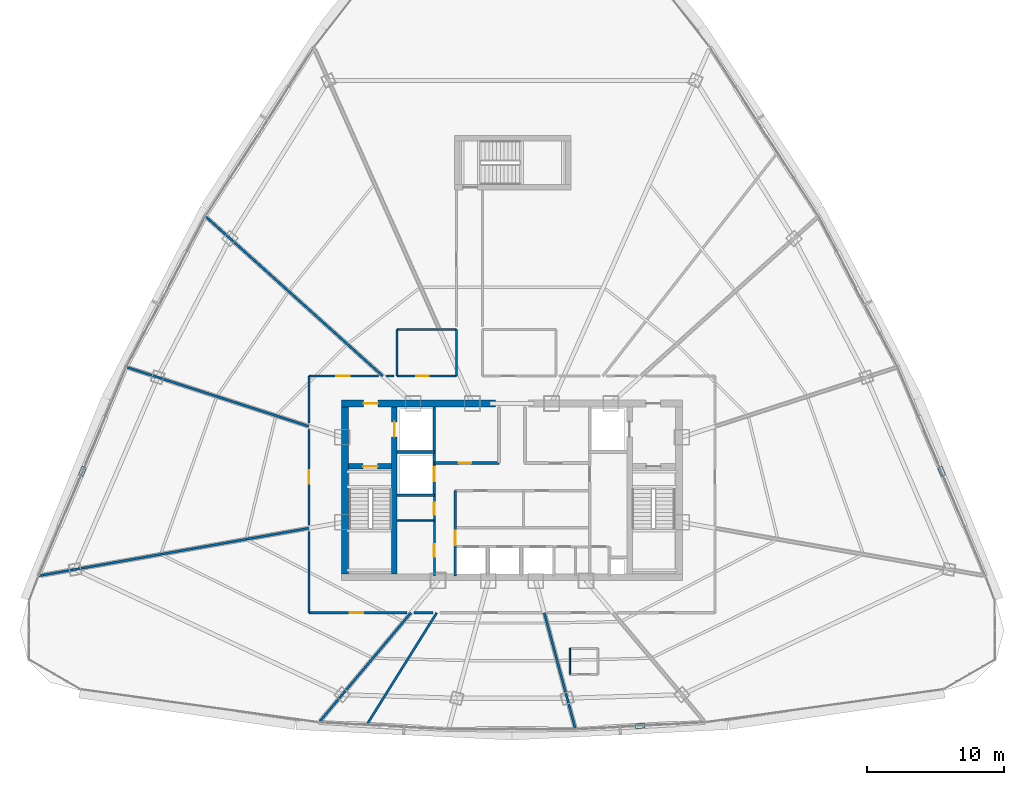
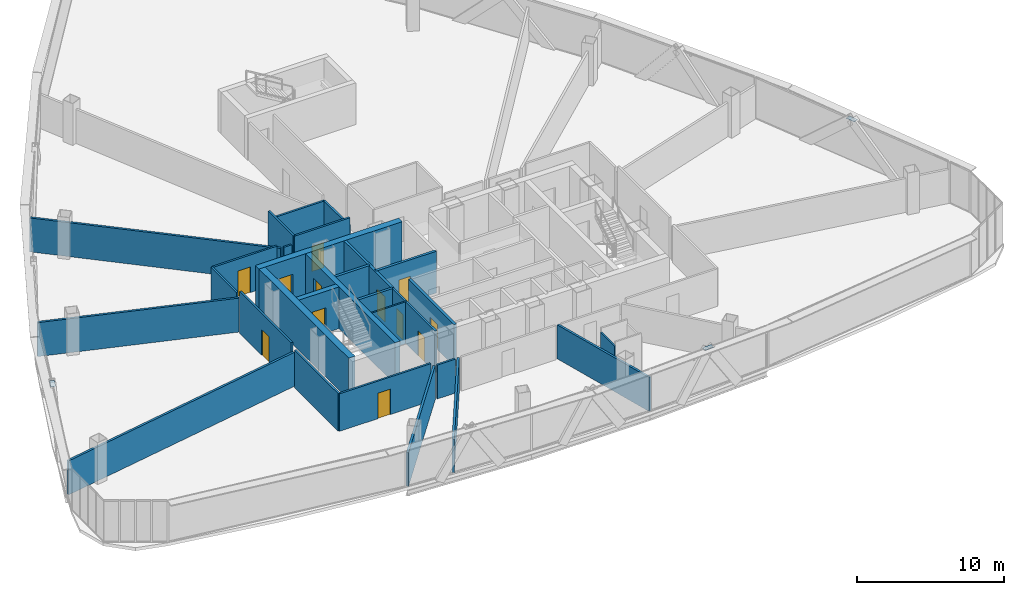
# One storey, part 30 of 36: 29 walls, 12 doors, 3 plates, 12 openings.
"""IFC4 building model written with IfcOpenShell, lengths in metres."""

from ifc_helpers import new_model, si_unit, direction, frame, frame_2d, origin, origin_with_axes, origin_2d, place, context, subcontext, project, spatial, rectangle, extrude, source, transform, mapped, material, layer, layer_set, type_object, element, fill, save


model = new_model("IFC4")

# Units and contexts
model_context = context("Model", 3, precision=1e-05, world=origin(), true_north=direction((0.0, 1.0)))
body_context = subcontext(model_context, "Body", "Model", "MODEL_VIEW")
ifc_project = project(units=[si_unit("LENGTHUNIT", "METRE"), si_unit("AREAUNIT", "SQUARE_METRE"), si_unit("VOLUMEUNIT", "CUBIC_METRE"), si_unit("PLANEANGLEUNIT", "RADIAN"), si_unit("MASSUNIT", "GRAM", prefix="KILO"), si_unit("THERMODYNAMICTEMPERATUREUNIT", "KELVIN"), si_unit("POWERUNIT", "WATT")], contexts=[model_context])

# Site, building, storey
site_placement = place(None, origin())
site = spatial("IfcSite", under=ifc_project, at=site_placement, CompositionType="ELEMENT")
building_placement = place(site_placement, origin())
building = spatial("IfcBuilding", under=site, at=building_placement, Name="Yunzhuo Pagoda Commons", CompositionType="ELEMENT")
storey_placement = place(building_placement, frame((0.0, 0.0, 244.530029296875)))
storey = spatial("IfcBuildingStorey", under=building, at=storey_placement, Name="L61", CompositionType="ELEMENT", Elevation=244.530029296875)

# Plates
ifc_material_1 = material(Name="Structural steel Q355B", Category="steel")
ifc_layer_1 = layer(ifc_material_1, 0.028076171875)
ifc_layer_set_1 = layer_set([ifc_layer_1], Name="Structural steel Q355B")
plate_type = type_object("IfcPlateType", Name="SP-ND1 Lattice Node Cap Plate 800x500x28", PredefinedType="USERDEFINED", material=ifc_layer_set_1)
shared_shape_1 = source(origin(), body_context, "Body", "SweptSolid", [
    extrude(rectangle(XDim=0.699951171875, YDim=0.35009765625, at=origin_2d()), origin(), (0.0, 0.0, 1.0), 0.035888671875),
])
for number, where, z_axis, x_axis, name in (
    (1, (57.376708984375, 16.626953125, 3.43212890625), (0.0, 0.0, 1.0), (0.998513930245, 0.054497074291, 0.0), "L61 setback lattice tie plate F1.3L"),
    (2, (79.39990234375, 35.229736328125, 3.43212890625), (0.0, 0.0, 1.0), (-0.387177679939, 0.922005121546, 0.0), "L61 setback lattice tie plate F2.1L"),
    (3, (16.60009765625, 35.229736328125, 3.43212890625), (0.0, 0.0, 1.0), (-0.387177679939, -0.922005121546, 0.0), "L61 setback lattice tie plate F3.3L"),
):
    element("IfcPlate", number, at=place(storey_placement, frame(where, z_axis=z_axis, x_axis=x_axis)), inside=storey, type_object=plate_type, Name=name, ObjectType="STIFFENER_PLATE", PredefinedType="USERDEFINED", context=body_context, shape_type="MappedRepresentation", body=[
        mapped(shared_shape_1, transform((0.0, 0.0, 0.0), scale=1.0)),
    ])

# Wall, opening, door
ifc_material_2 = material(Name="Concrete C50", Category="concrete")
ifc_layer_2 = layer(ifc_material_2, 0.5)
ifc_layer_set_2 = layer_set([ifc_layer_2], Name="Concrete C50")
wall_type_1 = type_object("IfcWallType", Name="W-C03 Upper Core Shear Wall 500", PredefinedType="SHEAR", material=ifc_layer_set_2)
wall_1_placement = place(storey_placement, frame((35.550048828125, 40.199951171875, 0.0), z_axis=(0.0, 0.0, 1.0), x_axis=(1.0, 0.0, 0.0)))
wall_1 = element("IfcWall", 4, at=wall_1_placement, inside=storey, type_object=wall_type_1, Name="L61 core shear wall NW", PredefinedType="SHEAR", context=body_context, shape_type="SweptSolid", body=[
    extrude(rectangle(XDim=11.25, YDim=0.5, at=frame_2d((5.625, 0.0))), origin(), (0.0, 0.0, 1.0), 3.469970703125),
])
opening_1_placement = place(wall_1_placement, frame((1.60009765625, 0.0, 0.0)))
opening_1 = element("IfcOpeningElement", 5, at=opening_1_placement, cuts=wall_1, Name="Opening D-02", PredefinedType="OPENING", context=body_context, shape_type="SweptSolid", body=[
    extrude(rectangle(XDim=1.050048828125, YDim=2.10009765625, at=frame_2d((0.52490234375, 1.050048828125))), frame((0.0, 0.260009765625, 0.0), z_axis=(0.0, -1.0, 0.0), x_axis=(1.0, 0.0, 0.0)), (0.0, 0.0, 1.0), 0.52001953125),
])
ifc_material_3 = material(Name="Galvanized fire-resisting metal leaf")
door_type_1 = type_object("IfcDoorType", Name="D-02 Firefighting Lobby & Refuge Fire Door 1050x2100", OperationType="NOTDEFINED", PredefinedType="DOOR", material=ifc_material_3)
shared_shape_2 = source(origin(), body_context, "Body", "SweptSolid", [
    extrude(rectangle(XDim=1.050048828125, YDim=2.10009765625, at=frame_2d((0.52490234375, 1.050048828125))), frame((0.0, 0.02490234375, 0.0), z_axis=(0.0, -1.0, 0.0), x_axis=(1.0, 0.0, 0.0)), (0.0, 0.0, 1.0), 0.050048828125),
])
door_1_placement = place(opening_1_placement, frame((1.050048828125, 0.0, 0.0), z_axis=(0.0, 0.0, 1.0), x_axis=(-1.0, 0.0, 0.0)))
door_1 = element("IfcDoor", 6, at=door_1_placement, inside=storey, type_object=door_type_1, Name="L61 Firefighting Lobby 1 fire door", OperationType="SINGLE_SWING_LEFT", OverallHeight=2.10009765625, OverallWidth=1.050048828125, PredefinedType="DOOR", context=body_context, shape_type="MappedRepresentation", body=[
    mapped(shared_shape_2, transform((0.0, 0.0, 0.0), scale=1.0)),
])
fill(opening_1, door_1)

# Wall
wall_2_placement = place(storey_placement, frame((35.800048828125, 27.75, 0.0), z_axis=(0.0, 0.0, 1.0), x_axis=(0.0, 1.0, 0.0)))
element("IfcWall", 7, at=wall_2_placement, inside=storey, type_object=wall_type_1, Name="L61 core shear wall W", PredefinedType="SHEAR", context=body_context, shape_type="SweptSolid", body=[
    extrude(rectangle(XDim=12.199951171875, YDim=0.5, at=frame_2d((6.10009765625, 0.0))), origin(), (0.0, 0.0, 1.0), 3.469970703125),
])

# Wall, openings, doors
ifc_material_4 = material(Name="Gypsum plasterboard on acoustic stud")
ifc_layer_3 = layer(ifc_material_4, 0.14990234375)
ifc_layer_set_3 = layer_set([ifc_layer_3], Name="Gypsum plasterboard on acoustic stud")
wall_type_2 = type_object("IfcWallType", Name="W-COR3 High-Zone Rated Corridor Wall 150", PredefinedType="PARTITIONING", material=ifc_layer_set_3)
wall_3_placement = place(storey_placement, frame((42.320068359375, 27.60009765625, 0.0), z_axis=(0.0, 0.0, 1.0), x_axis=(0.0, 1.0, 0.0)))
wall_3 = element("IfcWall", 8, at=wall_3_placement, inside=storey, type_object=wall_type_2, Name="L61 interior wall IW-L61-CSWE", PredefinedType="PARTITIONING", context=body_context, shape_type="SweptSolid", body=[
    extrude(rectangle(XDim=5.89990234375, YDim=0.14990234375, at=frame_2d((2.949951171875, 0.0))), origin(), (0.0, 0.0, 1.0), 3.469970703125),
])
opening_2_placement = place(wall_3_placement, frame((1.39990234375, 0.0, 0.0)))
opening_2 = element("IfcOpeningElement", 9, at=opening_2_placement, cuts=wall_3, Name="Opening D-03", PredefinedType="OPENING", context=body_context, shape_type="SweptSolid", body=[
    extrude(rectangle(XDim=0.89990234375, YDim=2.10009765625, at=frame_2d((0.449951171875, 1.050048828125))), frame((0.0, 0.0849609375, 0.0), z_axis=(0.0, -1.0, 0.0), x_axis=(1.0, 0.0, 0.0)), (0.0, 0.0, 1.0), 0.169921875),
])
opening_3_placement = place(wall_3_placement, frame((4.449951171875, 0.0, 0.0)))
opening_3 = element("IfcOpeningElement", 10, at=opening_3_placement, cuts=wall_3, Name="Opening D-03", PredefinedType="OPENING", context=body_context, shape_type="SweptSolid", body=[
    extrude(rectangle(XDim=0.89990234375, YDim=2.10009765625, at=frame_2d((0.449951171875, 1.050048828125))), frame((0.0, 0.0849609375, 0.0), z_axis=(0.0, -1.0, 0.0), x_axis=(1.0, 0.0, 0.0)), (0.0, 0.0, 1.0), 0.169921875),
])
door_type_2 = type_object("IfcDoorType", Name="D-03 Core Service Fire Door 900x2100", OperationType="NOTDEFINED", PredefinedType="DOOR", material=ifc_material_3)
shared_shape_3 = source(origin(), body_context, "Body", "SweptSolid", [
    extrude(rectangle(XDim=0.89990234375, YDim=2.10009765625, at=frame_2d((0.449951171875, 1.050048828125))), frame((0.0, 0.02490234375, 0.0), z_axis=(0.0, -1.0, 0.0), x_axis=(1.0, 0.0, 0.0)), (0.0, 0.0, 1.0), 0.050048828125),
])
door_2_placement = place(opening_2_placement, origin_with_axes())
door_2 = element("IfcDoor", 11, at=door_2_placement, inside=storey, type_object=door_type_2, Name="L61 service store door", OperationType="SINGLE_SWING_LEFT", OverallHeight=2.10009765625, OverallWidth=0.89990234375, PredefinedType="DOOR", context=body_context, shape_type="MappedRepresentation", body=[
    mapped(shared_shape_3, transform((0.0, 0.0, 0.0), scale=1.0)),
])
fill(opening_2, door_2)
door_3_placement = place(opening_3_placement, origin_with_axes())
door_3 = element("IfcDoor", 12, at=door_3_placement, inside=storey, type_object=door_type_2, Name="L61 switch closet door", OperationType="SINGLE_SWING_RIGHT", OverallHeight=2.10009765625, OverallWidth=0.89990234375, PredefinedType="DOOR", context=body_context, shape_type="MappedRepresentation", body=[
    mapped(shared_shape_3, transform((0.0, 0.0, 0.0), scale=1.0)),
])
fill(opening_3, door_3)

# Wall, opening, door
wall_4_placement = place(storey_placement, frame((39.60009765625, 42.199951171875, 0.0), z_axis=(0.0, 0.0, 1.0), x_axis=(1.0, 0.0, 0.0)))
wall_4 = element("IfcWall", 13, at=wall_4_placement, inside=storey, type_object=wall_type_2, Name="L61 interior wall IW-L61-TFWS", PredefinedType="PARTITIONING", context=body_context, shape_type="SweptSolid", body=[
    extrude(rectangle(XDim=4.349853515625, YDim=0.14990234375, at=frame_2d((2.1748046875, 0.0))), origin(), (0.0, 0.0, 1.0), 3.469970703125),
])
opening_4_placement = place(wall_4_placement, frame((1.39990234375, 0.0, 0.0)))
opening_4 = element("IfcOpeningElement", 14, at=opening_4_placement, cuts=wall_4, Name="Opening D-04", PredefinedType="OPENING", context=body_context, shape_type="SweptSolid", body=[
    extrude(rectangle(XDim=0.919921875, YDim=2.10009765625, at=frame_2d((0.4599609375, 1.050048828125))), frame((0.0, 0.0849609375, 0.0), z_axis=(0.0, -1.0, 0.0), x_axis=(1.0, 0.0, 0.0)), (0.0, 0.0, 1.0), 0.169921875),
])
ifc_material_5 = material(Name="Powder-coated aluminium and timber acoustic leaf", Category="wood")
door_type_3 = type_object("IfcDoorType", Name="D-04 Bedroom & Study Interior Door 920x2100", OperationType="NOTDEFINED", PredefinedType="DOOR", material=ifc_material_5)
shared_shape_4 = source(origin(), body_context, "Body", "SweptSolid", [
    extrude(rectangle(XDim=0.919921875, YDim=2.10009765625, at=frame_2d((0.4599609375, 1.050048828125))), frame((0.0, 0.02490234375, 0.0), z_axis=(0.0, -1.0, 0.0), x_axis=(1.0, 0.0, 0.0)), (0.0, 0.0, 1.0), 0.050048828125),
])
door_4_placement = place(opening_4_placement, frame((0.919921875, 0.0, 0.0), z_axis=(0.0, 0.0, 1.0), x_axis=(-1.0, 0.0, 0.0)))
door_4 = element("IfcDoor", 15, at=door_4_placement, inside=storey, type_object=door_type_3, Name="L61 laundry door", OperationType="SINGLE_SWING_LEFT", OverallHeight=2.10009765625, OverallWidth=0.919921875, PredefinedType="DOOR", context=body_context, shape_type="MappedRepresentation", body=[
    mapped(shared_shape_4, transform((0.0, 0.0, 0.0), scale=1.0)),
])
fill(opening_4, door_4)

# Walls
wall_5_placement = place(storey_placement, frame((39.60009765625, 45.60009765625, 0.0), z_axis=(0.0, 0.0, 1.0), x_axis=(1.0, 0.0, 0.0)))
element("IfcWall", 16, at=wall_5_placement, inside=storey, type_object=wall_type_2, Name="L61 interior wall IW-L61-TFWN", PredefinedType="PARTITIONING", context=body_context, shape_type="SweptSolid", body=[
    extrude(rectangle(XDim=4.349853515625, YDim=0.14990234375, at=frame_2d((2.1748046875, 0.0))), origin(), (0.0, 0.0, 1.0), 2.820068359375),
])
wall_6_placement = place(storey_placement, frame((39.60009765625, 42.199951171875, 0.0), z_axis=(0.0, 0.0, 1.0), x_axis=(0.0, 1.0, 0.0)))
element("IfcWall", 17, at=wall_6_placement, inside=storey, type_object=wall_type_2, Name="L61 interior wall IW-L61-TFWW", PredefinedType="PARTITIONING", context=body_context, shape_type="SweptSolid", body=[
    extrude(rectangle(XDim=3.400146484375, YDim=0.14990234375, at=frame_2d((1.7001953125, 0.0))), origin(), (0.0, 0.0, 1.0), 3.469970703125),
])
wall_7_placement = place(storey_placement, frame((43.949951171875, 42.199951171875, 0.0), z_axis=(0.0, 0.0, 1.0), x_axis=(0.0, 1.0, 0.0)))
element("IfcWall", 18, at=wall_7_placement, inside=storey, type_object=wall_type_2, Name="L61 interior wall IW-L61-TFWE", PredefinedType="PARTITIONING", context=body_context, shape_type="SweptSolid", body=[
    extrude(rectangle(XDim=3.400146484375, YDim=0.14990234375, at=frame_2d((1.7001953125, 0.0))), origin(), (0.0, 0.0, 1.0), 2.820068359375),
])
wall_8_placement = place(storey_placement, frame((33.14990234375, 24.89990234375, 0.0), z_axis=(0.0, 0.0, 1.0), x_axis=(0.0, 1.0, 0.0)))
element("IfcWall", 19, at=wall_8_placement, inside=storey, type_object=wall_type_2, Name="L61 interior wall IW-L61-CWL01", PredefinedType="PARTITIONING", context=body_context, shape_type="SweptSolid", body=[
    extrude(rectangle(XDim=5.958251953125, YDim=0.14990234375, at=frame_2d((2.97900390625, 0.0))), origin(), (0.0, 0.0, 1.0), 3.119873046875),
])

# Wall, opening, door
wall_9_placement = place(storey_placement, frame((33.14990234375, 31.30126953125, 0.0), z_axis=(0.0, 0.0, 1.0), x_axis=(0.0, 1.0, 0.0)))
wall_9 = element("IfcWall", 20, at=wall_9_placement, inside=storey, type_object=wall_type_2, Name="L61 interior wall IW-L61-CWL02", PredefinedType="PARTITIONING", context=body_context, shape_type="SweptSolid", body=[
    extrude(rectangle(XDim=7.004150390625, YDim=0.14990234375, at=frame_2d((3.501953125, 0.0))), origin(), (0.0, 0.0, 1.0), 3.469970703125),
])
opening_5_placement = place(wall_9_placement, frame((3.027099609375, 0.0, 0.0)))
opening_5 = element("IfcOpeningElement", 21, at=opening_5_placement, cuts=wall_9, Name="Opening D-08", PredefinedType="OPENING", context=body_context, shape_type="SweptSolid", body=[
    extrude(rectangle(XDim=0.97998046875, YDim=2.1201171875, at=frame_2d((0.489990234375, 1.06005859375))), frame((0.0, 0.0849609375, 0.0), z_axis=(0.0, -1.0, 0.0), x_axis=(1.0, 0.0, 0.0)), (0.0, 0.0, 1.0), 0.169921875),
])
door_type_4 = type_object("IfcDoorType", Name="D-08 High-Zone Suite Entrance Fire Door 980x2120", OperationType="NOTDEFINED", PredefinedType="DOOR", material=ifc_material_3)
shared_shape_5 = source(origin(), body_context, "Body", "SweptSolid", [
    extrude(rectangle(XDim=0.97998046875, YDim=2.1201171875, at=frame_2d((0.489990234375, 1.06005859375))), frame((0.0, 0.02490234375, 0.0), z_axis=(0.0, -1.0, 0.0), x_axis=(1.0, 0.0, 0.0)), (0.0, 0.0, 1.0), 0.050048828125),
])
door_5_placement = place(opening_5_placement, origin_with_axes())
door_5 = element("IfcDoor", 22, at=door_5_placement, inside=storey, type_object=door_type_4, Name="L61 unit 07 entrance door", OperationType="SINGLE_SWING_RIGHT", OverallHeight=2.1201171875, OverallWidth=0.97998046875, PredefinedType="DOOR", context=body_context, shape_type="MappedRepresentation", body=[
    mapped(shared_shape_5, transform((0.0, 0.0, 0.0), scale=1.0)),
])
fill(opening_5, door_5)

# Wall
wall_10_placement = place(storey_placement, frame((33.14990234375, 38.75634765625, 0.0), z_axis=(0.0, 0.0, 1.0), x_axis=(0.0, 1.0, 0.0)))
element("IfcWall", 23, at=wall_10_placement, inside=storey, type_object=wall_type_2, Name="L61 interior wall IW-L61-CWL03", PredefinedType="PARTITIONING", context=body_context, shape_type="SweptSolid", body=[
    extrude(rectangle(XDim=3.443603515625, YDim=0.14990234375, at=frame_2d((1.7216796875, 0.0))), origin(), (0.0, 0.0, 1.0), 3.119873046875),
])

# Wall, opening, door
wall_11_placement = place(storey_placement, frame((33.14990234375, 42.199951171875, 0.0), z_axis=(0.0, 0.0, 1.0), x_axis=(1.0, 0.0, 0.0)))
wall_11 = element("IfcWall", 24, at=wall_11_placement, inside=storey, type_object=wall_type_2, Name="L61 interior wall IW-L61-CWL04", PredefinedType="PARTITIONING", context=body_context, shape_type="SweptSolid", body=[
    extrude(rectangle(XDim=5.0810546875, YDim=0.14990234375, at=frame_2d((2.54052734375, 0.0))), origin(), (0.0, 0.0, 1.0), 3.119873046875),
])
opening_6_placement = place(wall_11_placement, frame((2.0, 0.0, 0.0)))
opening_6 = element("IfcOpeningElement", 25, at=opening_6_placement, cuts=wall_11, Name="Opening D-08", PredefinedType="OPENING", context=body_context, shape_type="SweptSolid", body=[
    extrude(rectangle(XDim=0.97998046875, YDim=2.1201171875, at=frame_2d((0.489990234375, 1.06005859375))), frame((0.0, 0.0849609375, 0.0), z_axis=(0.0, -1.0, 0.0), x_axis=(1.0, 0.0, 0.0)), (0.0, 0.0, 1.0), 0.169921875),
])
door_6_placement = place(opening_6_placement, origin_with_axes())
door_6 = element("IfcDoor", 26, at=door_6_placement, inside=storey, type_object=door_type_4, Name="L61 unit 06 entrance door", OperationType="SINGLE_SWING_LEFT", OverallHeight=2.1201171875, OverallWidth=0.97998046875, PredefinedType="DOOR", context=body_context, shape_type="MappedRepresentation", body=[
    mapped(shared_shape_5, transform((0.0, 0.0, 0.0), scale=1.0)),
])
fill(opening_6, door_6)

# Walls
wall_12_placement = place(storey_placement, frame((38.779541015625, 42.199951171875, 0.0), z_axis=(0.0, 0.0, 1.0), x_axis=(1.0, 0.0, 0.0)))
element("IfcWall", 27, at=wall_12_placement, inside=storey, type_object=wall_type_2, Name="L61 interior wall IW-L61-CWL05", PredefinedType="PARTITIONING", context=body_context, shape_type="SweptSolid", body=[
    extrude(rectangle(XDim=0.600341796875, YDim=0.14990234375, at=frame_2d((0.30029296875, 0.0))), origin(), (0.0, 0.0, 1.0), 2.820068359375),
])
wall_13_placement = place(storey_placement, frame((42.24169921875, 24.89990234375, 0.0), z_axis=(0.0, 0.0, 1.0), x_axis=(-1.0, 0.0, 0.0)))
element("IfcWall", 28, at=wall_13_placement, inside=storey, type_object=wall_type_2, Name="L61 interior wall IW-L61-CWL17", PredefinedType="PARTITIONING", context=body_context, shape_type="SweptSolid", body=[
    extrude(rectangle(XDim=1.406005859375, YDim=0.14990234375, at=frame_2d((0.703125, 0.0))), origin(), (0.0, 0.0, 1.0), 2.820068359375),
])

# Wall, opening, door
wall_14_placement = place(storey_placement, frame((40.32861328125, 24.89990234375, 0.0), z_axis=(0.0, 0.0, 1.0), x_axis=(-1.0, 0.0, 0.0)))
wall_14 = element("IfcWall", 29, at=wall_14_placement, inside=storey, type_object=wall_type_2, Name="L61 interior wall IW-L61-CWL18", PredefinedType="PARTITIONING", context=body_context, shape_type="SweptSolid", body=[
    extrude(rectangle(XDim=7.1787109375, YDim=0.14990234375, at=frame_2d((3.58935546875, 0.0))), origin(), (0.0, 0.0, 1.0), 3.119873046875),
])
opening_7_placement = place(wall_14_placement, frame((3.20068359375, 0.0, 0.0)))
opening_7 = element("IfcOpeningElement", 30, at=opening_7_placement, cuts=wall_14, Name="Opening D-08", PredefinedType="OPENING", context=body_context, shape_type="SweptSolid", body=[
    extrude(rectangle(XDim=0.97998046875, YDim=2.1201171875, at=frame_2d((0.489990234375, 1.06005859375))), frame((0.0, 0.0849609375, 0.0), z_axis=(0.0, -1.0, 0.0), x_axis=(1.0, 0.0, 0.0)), (0.0, 0.0, 1.0), 0.169921875),
])
door_7_placement = place(opening_7_placement, origin_with_axes())
door_7 = element("IfcDoor", 31, at=door_7_placement, inside=storey, type_object=door_type_4, Name="L61 unit 08 entrance door", OperationType="SINGLE_SWING_LEFT", OverallHeight=2.1201171875, OverallWidth=0.97998046875, PredefinedType="DOOR", context=body_context, shape_type="MappedRepresentation", body=[
    mapped(shared_shape_5, transform((0.0, 0.0, 0.0), scale=1.0)),
])
fill(opening_7, door_7)

# Walls
ifc_layer_4 = layer(ifc_material_4, 0.1201171875)
ifc_layer_set_4 = layer_set([ifc_layer_4], Name="Gypsum plasterboard on acoustic stud")
wall_type_3 = type_object("IfcWallType", Name="W-PRT1 Suite & Bathroom Partition 120", PredefinedType="PARTITIONING", material=ifc_layer_set_4)
wall_15_placement = place(storey_placement, frame((39.60009765625, 31.64990234375, 0.0), z_axis=(0.0, 0.0, 1.0), x_axis=(1.0, 0.0, 0.0)))
element("IfcWall", 32, at=wall_15_placement, inside=storey, type_object=wall_type_3, Name="L61 interior wall IW-L61-CD1", PredefinedType="PARTITIONING", context=body_context, shape_type="SweptSolid", body=[
    extrude(rectangle(XDim=2.719970703125, YDim=0.1201171875, at=frame_2d((1.35986328125, 0.0))), origin(), (0.0, 0.0, 1.0), 3.469970703125),
])
wall_16_placement = place(storey_placement, frame((52.22900390625, 22.2900390625, 0.0), z_axis=(0.0, 0.0, 1.0), x_axis=(0.0, -1.0, 0.0)))
element("IfcWall", 33, at=wall_16_placement, inside=storey, type_object=wall_type_3, Name="L61 interior wall IW-L61-B11W", PredefinedType="PARTITIONING", context=body_context, shape_type="SweptSolid", body=[
    extrude(rectangle(XDim=1.900146484375, YDim=0.1201171875, at=frame_2d((0.9501953125, 0.0))), origin(), (0.0, 0.0, 1.0), 3.119873046875),
])
ifc_layer_5 = layer(ifc_material_4, 0.169921875)
ifc_layer_set_5 = layer_set([ifc_layer_5], Name="Gypsum plasterboard on acoustic stud")
wall_type_4 = type_object("IfcWallType", Name="W-PRT4 High-Zone Demising Wall 170", PredefinedType="PARTITIONING", material=ifc_layer_set_5)
wall_17_placement = place(storey_placement, frame((38.559814453125, 42.199951171875, 0.0), z_axis=(0.0, 0.0, 1.0), x_axis=(-0.743140424774, 0.669135493802, 0.0)))
element("IfcWall", 34, at=wall_17_placement, inside=storey, type_object=wall_type_4, Name="L61 interior wall IW-L61-RAD05", PredefinedType="PARTITIONING", context=body_context, shape_type="SweptSolid", body=[
    extrude(rectangle(XDim=17.454833984375, YDim=0.169921875, at=frame_2d((8.7275390625, 0.0))), origin(), (0.0, 0.0, 1.0), 2.820068359375),
])
wall_18_placement = place(storey_placement, frame((33.14990234375, 38.525146484375, 0.0), z_axis=(0.0, 0.0, 1.0), x_axis=(-0.951060404644, 0.309005027011, 0.0)))
element("IfcWall", 35, at=wall_18_placement, inside=storey, type_object=wall_type_4, Name="L61 interior wall IW-L61-RAD06", PredefinedType="PARTITIONING", context=body_context, shape_type="SweptSolid", body=[
    extrude(rectangle(XDim=14.031982421875, YDim=0.169921875, at=frame_2d((7.01611328125, 0.0))), origin(), (0.0, 0.0, 1.0), 2.820068359375),
])
wall_19_placement = place(storey_placement, frame((33.14990234375, 31.08154296875, 0.0), z_axis=(0.0, 0.0, 1.0), x_axis=(-0.984808421785, -0.173644384824, 0.0)))
element("IfcWall", 36, at=wall_19_placement, inside=storey, type_object=wall_type_4, Name="L61 interior wall IW-L61-RAD07", PredefinedType="PARTITIONING", context=body_context, shape_type="SweptSolid", body=[
    extrude(rectangle(XDim=20.05908203125, YDim=0.169921875, at=frame_2d((10.029541015625, 0.0))), origin(), (0.0, 0.0, 1.0), 2.820068359375),
])
wall_20_placement = place(storey_placement, frame((40.615966796875, 24.89990234375, 0.0), z_axis=(0.0, 0.0, 1.0), x_axis=(-0.642788120563, -0.766044014443, 0.0)))
element("IfcWall", 37, at=wall_20_placement, inside=storey, type_object=wall_type_4, Name="L61 interior wall IW-L61-RAD08", PredefinedType="PARTITIONING", context=body_context, shape_type="SweptSolid", body=[
    extrude(rectangle(XDim=10.46240234375, YDim=0.169921875, at=frame_2d((5.231201171875, 0.0))), origin(), (0.0, 0.0, 1.0), 2.820068359375),
])
wall_21_placement = place(storey_placement, frame((42.501220703125, 24.89990234375, 0.0), z_axis=(0.0, 0.0, 1.0), x_axis=(-0.529930889386, -0.848040831844, 0.0)))
element("IfcWall", 38, at=wall_21_placement, inside=storey, type_object=wall_type_4, Name="L61 interior wall IW-L61-RAD09", PredefinedType="PARTITIONING", context=body_context, shape_type="SweptSolid", body=[
    extrude(rectangle(XDim=9.6748046875, YDim=0.169921875, at=frame_2d((4.83740234375, 0.0))), origin(), (0.0, 0.0, 1.0), 2.820068359375),
])
wall_22_placement = place(storey_placement, frame((50.35791015625, 24.89990234375, 0.0), z_axis=(0.0, 0.0, 1.0), x_axis=(0.258813459388, -0.965927322959, 0.0)))
element("IfcWall", 39, at=wall_22_placement, inside=storey, type_object=wall_type_4, Name="L61 interior wall IW-L61-RAD10", PredefinedType="PARTITIONING", context=body_context, shape_type="SweptSolid", body=[
    extrude(rectangle(XDim=8.832275390625, YDim=0.169921875, at=frame_2d((4.416015625, 0.0))), origin(), (0.0, 0.0, 1.0), 2.820068359375),
])

# Wall, opening, door
ifc_material_6 = material(Name="Concrete C60", Category="concrete")
ifc_layer_6 = layer(ifc_material_6, 0.39990234375)
ifc_layer_set_6 = layer_set([ifc_layer_6], Name="Concrete C60")
wall_type_5 = type_object("IfcWallType", Name="W-S01 Internal Core Shear Web 400", PredefinedType="SHEAR", material=ifc_layer_set_6)
wall_23_placement = place(storey_placement, frame((39.39990234375, 27.75, 0.0), z_axis=(0.0, 0.0, 1.0), x_axis=(0.0, 1.0, 0.0)))
wall_23 = element("IfcWall", 40, at=wall_23_placement, inside=storey, type_object=wall_type_5, Name="L61 core shear wall WEBW", PredefinedType="SHEAR", context=body_context, shape_type="SweptSolid", body=[
    extrude(rectangle(XDim=12.199951171875, YDim=0.39990234375, at=frame_2d((6.10009765625, 0.0))), origin(), (0.0, 0.0, 1.0), 3.469970703125),
])
opening_8_placement = place(wall_23_placement, frame((10.0, 0.0, 0.0)))
opening_8 = element("IfcOpeningElement", 41, at=opening_8_placement, cuts=wall_23, Name="Opening LD-01", PredefinedType="OPENING", context=body_context, shape_type="SweptSolid", body=[
    extrude(rectangle(XDim=1.10009765625, YDim=2.10009765625, at=frame_2d((0.550048828125, 1.050048828125))), frame((0.0, 0.2099609375, 0.0), z_axis=(0.0, -1.0, 0.0), x_axis=(1.0, 0.0, 0.0)), (0.0, 0.0, 1.0), 0.419921875),
])
door_type_5 = type_object("IfcDoorType", Name="LD-01 Firefighting Lift Landing Door 1100x2100", OperationType="DOUBLE_DOOR_SLIDING", PredefinedType="DOOR", material=ifc_material_3)
shared_shape_6 = source(origin(), body_context, "Body", "SweptSolid", [
    extrude(rectangle(XDim=1.10009765625, YDim=2.10009765625, at=frame_2d((0.550048828125, 1.050048828125))), frame((0.0, 0.02490234375, 0.0), z_axis=(0.0, -1.0, 0.0), x_axis=(1.0, 0.0, 0.0)), (0.0, 0.0, 1.0), 0.050048828125),
])
door_8_placement = place(opening_8_placement, frame((1.10009765625, 0.0, 0.0), z_axis=(0.0, 0.0, 1.0), x_axis=(-1.0, 0.0, 0.0)))
door_8 = element("IfcDoor", 42, at=door_8_placement, inside=storey, type_object=door_type_5, Name="L61 Firefighting lift FL-1 landing door", OperationType="DOUBLE_DOOR_SLIDING", OverallHeight=2.10009765625, OverallWidth=1.10009765625, PredefinedType="DOOR", context=body_context, shape_type="MappedRepresentation", body=[
    mapped(shared_shape_6, transform((0.0, 0.0, 0.0), scale=1.0)),
])
fill(opening_8, door_8)

wall_24_placement = place(storey_placement, frame((36.050048828125, 35.60009765625, 0.0), z_axis=(0.0, 0.0, 1.0), x_axis=(1.0, 0.0, 0.0)))
wall_24 = element("IfcWall", 43, at=wall_24_placement, inside=storey, type_object=wall_type_5, Name="L61 core shear wall STW", PredefinedType="SHEAR", context=body_context, shape_type="SweptSolid", body=[
    extrude(rectangle(XDim=3.14990234375, YDim=0.39990234375, at=frame_2d((1.574951171875, 0.0))), origin(), (0.0, 0.0, 1.0), 3.469970703125),
])
opening_9_placement = place(wall_24_placement, frame((1.070068359375, 0.0, 0.0)))
opening_9 = element("IfcOpeningElement", 44, at=opening_9_placement, cuts=wall_24, Name="Opening D-01", PredefinedType="OPENING", context=body_context, shape_type="SweptSolid", body=[
    extrude(rectangle(XDim=1.050048828125, YDim=2.10009765625, at=frame_2d((0.52490234375, 1.050048828125))), frame((0.0, 0.2099609375, 0.0), z_axis=(0.0, -1.0, 0.0), x_axis=(1.0, 0.0, 0.0)), (0.0, 0.0, 1.0), 0.419921875),
])
door_type_6 = type_object("IfcDoorType", Name="D-01 Smokeproof Stair Fire Door 1050x2100", OperationType="NOTDEFINED", PredefinedType="DOOR", material=ifc_material_3)
door_9_placement = place(opening_9_placement, frame((1.050048828125, 0.0, 0.0), z_axis=(0.0, 0.0, 1.0), x_axis=(-1.0, 0.0, 0.0)))
door_9 = element("IfcDoor", 45, at=door_9_placement, inside=storey, type_object=door_type_6, Name="L61 Stair ST1 fire door", OperationType="SINGLE_SWING_LEFT", OverallHeight=2.10009765625, OverallWidth=1.050048828125, PredefinedType="DOOR", context=body_context, shape_type="MappedRepresentation", body=[
    mapped(shared_shape_2, transform((0.0, 0.0, 0.0), scale=1.0)),
])
fill(opening_9, door_9)

ifc_material_7 = material(Name="Concrete C40", Category="concrete")
ifc_layer_7 = layer(ifc_material_7, 0.199951171875)
ifc_layer_set_7 = layer_set([ifc_layer_7], Name="Concrete C40")
wall_type_6 = type_object("IfcWallType", Name="W-SHF Shaft & Stair Enclosure Wall 200", PredefinedType="SOLIDWALL", material=ifc_layer_set_7)
wall_25_placement = place(storey_placement, frame((42.320068359375, 33.5, 0.0), z_axis=(0.0, 0.0, 1.0), x_axis=(0.0, 1.0, 0.0)))
wall_25 = element("IfcWall", 46, at=wall_25_placement, inside=storey, type_object=wall_type_6, Name="L61 interior wall IW-L61-FL1E", PredefinedType="SOLIDWALL", context=body_context, shape_type="SweptSolid", body=[
    extrude(rectangle(XDim=6.449951171875, YDim=0.199951171875, at=frame_2d((3.22509765625, 0.0))), origin(), (0.0, 0.0, 1.0), 3.469970703125),
])
opening_10_placement = place(wall_25_placement, frame((1.0, 0.0, 0.0)))
opening_10 = element("IfcOpeningElement", 47, at=opening_10_placement, cuts=wall_25, Name="Opening LD-02", PredefinedType="OPENING", context=body_context, shape_type="SweptSolid", body=[
    extrude(rectangle(XDim=1.050048828125, YDim=2.10009765625, at=frame_2d((0.52490234375, 1.050048828125))), frame((0.0, 0.10986328125, 0.0), z_axis=(0.0, -1.0, 0.0), x_axis=(1.0, 0.0, 0.0)), (0.0, 0.0, 1.0), 0.219970703125),
])
door_type_7 = type_object("IfcDoorType", Name="LD-02 Passenger Lift Landing Door 1050x2100", OperationType="DOUBLE_DOOR_SLIDING", PredefinedType="DOOR", material=ifc_material_3)
door_10_placement = place(opening_10_placement, origin_with_axes())
door_10 = element("IfcDoor", 48, at=door_10_placement, inside=storey, type_object=door_type_7, Name="L61 Service lift SL-1 landing door", OperationType="DOUBLE_DOOR_SLIDING", OverallHeight=2.10009765625, OverallWidth=1.050048828125, PredefinedType="DOOR", context=body_context, shape_type="MappedRepresentation", body=[
    mapped(shared_shape_2, transform((0.0, 0.0, 0.0), scale=1.0)),
])
fill(opening_10, door_10)

# Walls
for number, where, z_axis, x_axis, name in (
    (49, (39.60009765625, 36.64990234375, 0.0), (0.0, 0.0, 1.0), (1.0, 0.0, 0.0), "L61 interior wall IW-L61-FL1S"),
    (50, (39.60009765625, 33.5, 0.0), (0.0, 0.0, 1.0), (1.0, 0.0, 0.0), "L61 interior wall IW-L61-SL1S"),
):
    element("IfcWall", number, at=place(storey_placement, frame(where, z_axis=z_axis, x_axis=x_axis)), inside=storey, type_object=wall_type_6, Name=name, PredefinedType="SOLIDWALL", context=body_context, shape_type="SweptSolid", body=[
        extrude(rectangle(XDim=2.719970703125, YDim=0.199951171875, at=frame_2d((1.35986328125, 0.0))), origin(), (0.0, 0.0, 1.0), 3.469970703125),
    ])

# Wall, opening, door
wall_26_placement = place(storey_placement, frame((42.320068359375, 35.85009765625, 0.0), z_axis=(0.0, 0.0, 1.0), x_axis=(1.0, 0.0, 0.0)))
wall_26 = element("IfcWall", 51, at=wall_26_placement, inside=storey, type_object=wall_type_6, Name="L61 interior wall IW-L61-LBNW", PredefinedType="SOLIDWALL", context=body_context, shape_type="SweptSolid", body=[
    extrude(rectangle(XDim=4.72998046875, YDim=0.199951171875, at=frame_2d((2.364990234375, 0.0))), origin(), (0.0, 0.0, 1.0), 3.469970703125),
])
opening_11_placement = place(wall_26_placement, frame((1.800048828125, 0.0, 0.0)))
opening_11 = element("IfcOpeningElement", 52, at=opening_11_placement, cuts=wall_26, Name="Opening D-03", PredefinedType="OPENING", context=body_context, shape_type="SweptSolid", body=[
    extrude(rectangle(XDim=0.89990234375, YDim=2.10009765625, at=frame_2d((0.449951171875, 1.050048828125))), frame((0.0, 0.10986328125, 0.0), z_axis=(0.0, -1.0, 0.0), x_axis=(1.0, 0.0, 0.0)), (0.0, 0.0, 1.0), 0.219970703125),
])
door_11_placement = place(opening_11_placement, frame((0.89990234375, 0.0, 0.0), z_axis=(0.0, 0.0, 1.0), x_axis=(-1.0, 0.0, 0.0)))
door_11 = element("IfcDoor", 53, at=door_11_placement, inside=storey, type_object=door_type_2, Name="L61 core west store door", OperationType="SINGLE_SWING_LEFT", OverallHeight=2.10009765625, OverallWidth=0.89990234375, PredefinedType="DOOR", context=body_context, shape_type="MappedRepresentation", body=[
    mapped(shared_shape_3, transform((0.0, 0.0, 0.0), scale=1.0)),
])
fill(opening_11, door_11)

wall_27_placement = place(storey_placement, frame((43.85009765625, 27.60009765625, 0.0), z_axis=(0.0, 0.0, 1.0), x_axis=(0.0, 1.0, 0.0)))
wall_27 = element("IfcWall", 54, at=wall_27_placement, inside=storey, type_object=wall_type_6, Name="L61 interior wall IW-L61-PLMW", PredefinedType="SOLIDWALL", context=body_context, shape_type="SweptSolid", body=[
    extrude(rectangle(XDim=6.219970703125, YDim=0.199951171875, at=frame_2d((3.10986328125, 0.0))), origin(), (0.0, 0.0, 1.0), 3.469970703125),
])
opening_12_placement = place(wall_27_placement, frame((2.25, 0.0, 0.0)))
opening_12 = element("IfcOpeningElement", 55, at=opening_12_placement, cuts=wall_27, Name="Opening D-02", PredefinedType="OPENING", context=body_context, shape_type="SweptSolid", body=[
    extrude(rectangle(XDim=1.050048828125, YDim=2.10009765625, at=frame_2d((0.52490234375, 1.050048828125))), frame((0.0, 0.10986328125, 0.0), z_axis=(0.0, -1.0, 0.0), x_axis=(1.0, 0.0, 0.0)), (0.0, 0.0, 1.0), 0.219970703125),
])
door_12_placement = place(opening_12_placement, frame((1.050048828125, 0.0, 0.0), z_axis=(0.0, 0.0, 1.0), x_axis=(-1.0, 0.0, 0.0)))
door_12 = element("IfcDoor", 56, at=door_12_placement, inside=storey, type_object=door_type_1, Name="L61 High-bank hall west door", OperationType="SINGLE_SWING_LEFT", OverallHeight=2.10009765625, OverallWidth=1.050048828125, PredefinedType="DOOR", context=body_context, shape_type="MappedRepresentation", body=[
    mapped(shared_shape_2, transform((0.0, 0.0, 0.0), scale=1.0)),
])
fill(opening_12, door_12)

save(model, "model.ifc")
